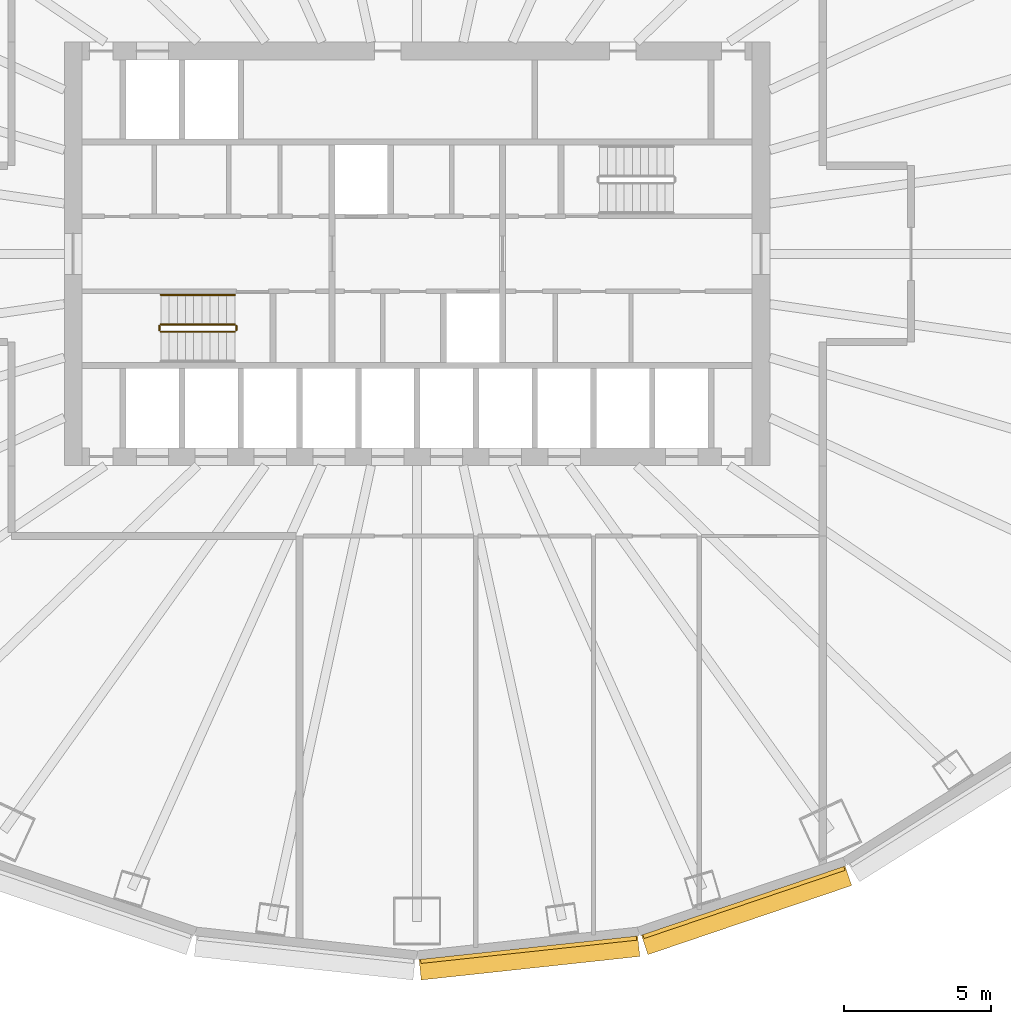
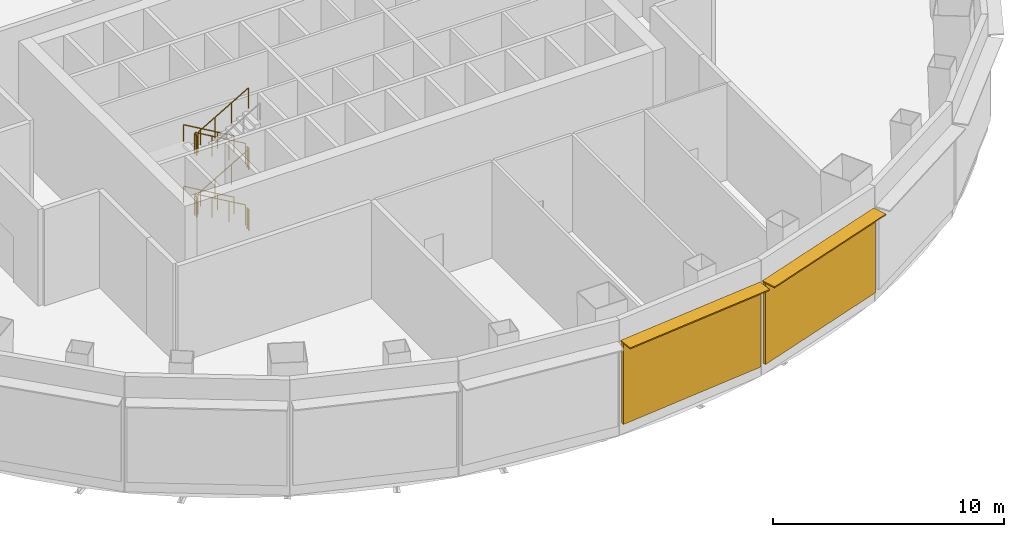
# One storey, part 7 of 9: 10 railings, 4 shading devices.
"""IFC4 building model written with IfcOpenShell, lengths in metres."""

from ifc_helpers import new_model, si_unit, direction, frame, origin, origin_2d, place, context, subcontext, project, spatial, rectangle, circle, extrude, material, layer, layer_set, type_object, element, save


model = new_model("IFC4")

# Units and contexts
model_context = context("Model", 3, precision=1e-05, world=origin(), true_north=direction((0.0, 1.0)))
body_context = subcontext(model_context, "Body", "Model", "MODEL_VIEW")
ifc_project = project(units=[si_unit("LENGTHUNIT", "METRE"), si_unit("AREAUNIT", "SQUARE_METRE"), si_unit("VOLUMEUNIT", "CUBIC_METRE"), si_unit("PLANEANGLEUNIT", "RADIAN"), si_unit("MASSUNIT", "GRAM", prefix="KILO")], contexts=[model_context])

# Site, building, storey
site_placement = place(None, origin())
site = spatial("IfcSite", under=ifc_project, at=site_placement, CompositionType="ELEMENT")
building_placement = place(site_placement, origin())
building = spatial("IfcBuilding", under=site, at=building_placement, Name="Siaravel Broadcast Tower", CompositionType="ELEMENT")
storey_placement = place(building_placement, frame((0.0, 0.0, 13.5)))
storey = spatial("IfcBuildingStorey", under=building, at=storey_placement, Name="L02", CompositionType="ELEMENT", Elevation=13.5)

# Shading devices
ifc_material_1 = material(Name="Bronze anodised aluminium", Category="aluminium")
ifc_layer_1 = layer(ifc_material_1, 0.06005859375)
ifc_layer_set_1 = layer_set([ifc_layer_1], Name="Bronze anodised aluminium")
shading_device_type_1 = type_object("IfcShadingDeviceType", Name="Brise-soleil band", PredefinedType="USERDEFINED", material=ifc_layer_set_1)
shading_device_1_placement = place(storey_placement, frame((3.8212890625, -23.95458984375, 4.929931640625), z_axis=(0.0, 0.0, 1.0), x_axis=(0.994235667, 0.107216783, 0.0)))
element("IfcShadingDevice", 1, at=shading_device_1_placement, inside=storey, type_object=shading_device_type_1, Name="L02 brise-soleil band 19", ObjectType="SUNSHADE", PredefinedType="USERDEFINED", context=body_context, shape_type="SweptSolid", body=[
    extrude(rectangle(XDim=7.4794921875, YDim=0.699951171875, at=origin_2d()), origin(), (0.0, 0.0, 1.0), 0.06005859375),
])
shading_device_2_placement = place(storey_placement, frame((11.20751953125, -22.333251953125, 4.929931640625), z_axis=(0.0, 0.0, 1.0), x_axis=(0.946977245, 0.321300635, 0.0)))
element("IfcShadingDevice", 2, at=shading_device_2_placement, inside=storey, type_object=shading_device_type_1, Name="L02 brise-soleil band 20", ObjectType="SUNSHADE", PredefinedType="USERDEFINED", context=body_context, shape_type="SweptSolid", body=[
    extrude(rectangle(XDim=7.316162109375, YDim=0.699951171875, at=origin_2d()), origin(), (0.0, 0.0, 1.0), 0.06005859375),
])
ifc_material_2 = material(Name="Precast concrete C40/50", Category="concrete")
ifc_layer_2 = layer(ifc_material_2, 0.139892578125)
ifc_layer_set_2 = layer_set([ifc_layer_2], Name="Precast concrete C40/50")
shading_device_type_2 = type_object("IfcShadingDeviceType", Name="Cobogo screen", PredefinedType="USERDEFINED", material=ifc_layer_set_2)
shading_device_3_placement = place(storey_placement, frame((3.791259765625, -23.676025390625, 0.60009765625), z_axis=(0.0, 0.0, 1.0), x_axis=(0.994235667, 0.107216783, 0.0)))
element("IfcShadingDevice", 3, at=shading_device_3_placement, inside=storey, type_object=shading_device_type_2, Name="L02 cobogo screen 19", ObjectType="SCREEN", PredefinedType="USERDEFINED", context=body_context, shape_type="SweptSolid", body=[
    extrude(rectangle(XDim=7.379638671875, YDim=0.139892578125, at=origin_2d()), origin(), (0.0, 0.0, 1.0), 4.300048828125),
])
shading_device_4_placement = place(storey_placement, frame((11.117431640625, -22.068115234375, 0.60009765625), z_axis=(0.0, 0.0, 1.0), x_axis=(0.946977245, 0.321300635, 0.0)))
element("IfcShadingDevice", 4, at=shading_device_4_placement, inside=storey, type_object=shading_device_type_2, Name="L02 cobogo screen 20", ObjectType="SCREEN", PredefinedType="USERDEFINED", context=body_context, shape_type="SweptSolid", body=[
    extrude(rectangle(XDim=7.21630859375, YDim=0.139892578125, at=origin_2d()), origin(), (0.0, 0.0, 1.0), 4.300048828125),
])

# Railings
ifc_material_3 = material(Name="Stainless steel 316L", Category="steel")
railing_type_1 = type_object("IfcRailingType", Name="Stair guard 1100", PredefinedType="GUARDRAIL", material=ifc_material_3)
railing_1_placement = place(storey_placement, frame((-6.199951171875, -2.39990234375, 0.16259765625)))
element("IfcRailing", 5, at=railing_1_placement, inside=storey, type_object=railing_type_1, Name="L02 ST-1 stair guard 1", PredefinedType="GUARDRAIL", context=body_context, shape_type="SweptSolid", body=[
    extrude(circle(Radius=0.02392578125, at=origin_2d()), frame((0.0, 0.0, 1.076171875), z_axis=(-0.864913338, 0.0, 0.501921226), x_axis=(0.0, -1.0, 0.0)), (0.0, 0.0, 1.0), 2.91357421875),
    extrude(circle(Radius=0.02099609375, at=origin_2d()), origin(), (0.0, 0.0, 1.0), 1.052001953125),
    extrude(circle(Radius=0.02099609375, at=origin_2d()), frame((-0.840087890625, 0.0, 0.487548828125)), (0.0, 0.0, 1.0), 1.052001953125),
    extrude(circle(Radius=0.02099609375, at=origin_2d()), frame((-1.679931640625, 0.0, 0.974853515625)), (0.0, 0.0, 1.0), 1.052001953125),
    extrude(circle(Radius=0.02099609375, at=origin_2d()), frame((-2.52001953125, 0.0, 1.46240234375)), (0.0, 0.0, 1.0), 1.052001953125),
])
railing_2_placement = place(storey_placement, frame((-8.77001953125, -2.449951171875, 1.625)))
element("IfcRailing", 6, at=railing_2_placement, inside=storey, type_object=railing_type_1, Name="L02 ST-1 stair guard 2", PredefinedType="GUARDRAIL", context=body_context, shape_type="SweptSolid", body=[
    extrude(circle(Radius=0.02392578125, at=origin_2d()), frame((0.0, 0.0, 1.076171875), z_axis=(0.0, -1.0, 0.0), x_axis=(1.0, 0.0, 0.0)), (0.0, 0.0, 1.0), 0.150146484375),
    extrude(circle(Radius=0.02099609375, at=origin_2d()), origin(), (0.0, 0.0, 1.0), 1.052001953125),
    extrude(circle(Radius=0.02099609375, at=origin_2d()), frame((0.0, -0.150146484375, 0.0)), (0.0, 0.0, 1.0), 1.052001953125),
])
railing_3_placement = place(storey_placement, frame((-8.719970703125, -2.64990234375, 1.78759765625)))
element("IfcRailing", 7, at=railing_3_placement, inside=storey, type_object=railing_type_1, Name="L02 ST-1 stair guard 3", PredefinedType="GUARDRAIL", context=body_context, shape_type="SweptSolid", body=[
    extrude(circle(Radius=0.02392578125, at=origin_2d()), frame((0.0, 0.0, 1.076171875), z_axis=(0.864913338, 0.0, 0.501921226), x_axis=(0.0, 1.0, 0.0)), (0.0, 0.0, 1.0), 2.91357421875),
    extrude(circle(Radius=0.02099609375, at=origin_2d()), origin(), (0.0, 0.0, 1.0), 1.052001953125),
    extrude(circle(Radius=0.02099609375, at=origin_2d()), frame((0.840087890625, 0.0, 0.487548828125)), (0.0, 0.0, 1.0), 1.052001953125),
    extrude(circle(Radius=0.02099609375, at=origin_2d()), frame((1.679931640625, 0.0, 0.974853515625)), (0.0, 0.0, 1.0), 1.052001953125),
    extrude(circle(Radius=0.02099609375, at=origin_2d()), frame((2.52001953125, 0.0, 1.46240234375)), (0.0, 0.0, 1.0), 1.052001953125),
])
railing_4_placement = place(storey_placement, frame((-6.14990234375, -2.449951171875, 3.25)))
element("IfcRailing", 8, at=railing_4_placement, inside=storey, type_object=railing_type_1, Name="L02 ST-1 stair guard 4", PredefinedType="GUARDRAIL", context=body_context, shape_type="SweptSolid", body=[
    extrude(circle(Radius=0.02392578125, at=origin_2d()), frame((0.0, 0.0, 1.076171875), z_axis=(0.0, -1.0, 0.0), x_axis=(1.0, 0.0, 0.0)), (0.0, 0.0, 1.0), 0.150146484375),
    extrude(circle(Radius=0.02099609375, at=origin_2d()), origin(), (0.0, 0.0, 1.0), 1.052001953125),
    extrude(circle(Radius=0.02099609375, at=origin_2d()), frame((0.0, -0.150146484375, 0.0)), (0.0, 0.0, 1.0), 1.052001953125),
])
railing_5_placement = place(storey_placement, frame((-6.199951171875, -2.39990234375, 3.41259765625)))
element("IfcRailing", 9, at=railing_5_placement, inside=storey, type_object=railing_type_1, Name="L02 ST-1 stair guard 5", PredefinedType="GUARDRAIL", context=body_context, shape_type="SweptSolid", body=[
    extrude(circle(Radius=0.02392578125, at=origin_2d()), frame((0.0, 0.0, 1.076171875), z_axis=(-0.864913338, 0.0, 0.501921226), x_axis=(0.0, -1.0, 0.0)), (0.0, 0.0, 1.0), 2.91357421875),
    extrude(circle(Radius=0.02099609375, at=origin_2d()), origin(), (0.0, 0.0, 1.0), 1.052001953125),
    extrude(circle(Radius=0.02099609375, at=origin_2d()), frame((-0.840087890625, 0.0, 0.487548828125)), (0.0, 0.0, 1.0), 1.052001953125),
    extrude(circle(Radius=0.02099609375, at=origin_2d()), frame((-1.679931640625, 0.0, 0.974853515625)), (0.0, 0.0, 1.0), 1.052001953125),
    extrude(circle(Radius=0.02099609375, at=origin_2d()), frame((-2.52001953125, 0.0, 1.46240234375)), (0.0, 0.0, 1.0), 1.052001953125),
])
railing_6_placement = place(storey_placement, frame((-8.77001953125, -2.449951171875, 4.875)))
element("IfcRailing", 10, at=railing_6_placement, inside=storey, type_object=railing_type_1, Name="L02 ST-1 stair guard 6", PredefinedType="GUARDRAIL", context=body_context, shape_type="SweptSolid", body=[
    extrude(circle(Radius=0.02392578125, at=origin_2d()), frame((0.0, 0.0, 1.076171875), z_axis=(0.0, -1.0, 0.0), x_axis=(1.0, 0.0, 0.0)), (0.0, 0.0, 1.0), 0.150146484375),
    extrude(circle(Radius=0.02099609375, at=origin_2d()), origin(), (0.0, 0.0, 1.0), 1.052001953125),
    extrude(circle(Radius=0.02099609375, at=origin_2d()), frame((0.0, -0.150146484375, 0.0)), (0.0, 0.0, 1.0), 1.052001953125),
])
railing_7_placement = place(storey_placement, frame((-8.719970703125, -2.64990234375, 5.03759765625)))
element("IfcRailing", 11, at=railing_7_placement, inside=storey, type_object=railing_type_1, Name="L02 ST-1 stair guard 7", PredefinedType="GUARDRAIL", context=body_context, shape_type="SweptSolid", body=[
    extrude(circle(Radius=0.02392578125, at=origin_2d()), frame((0.0, 0.0, 1.076171875), z_axis=(0.864913338, 0.0, 0.501921226), x_axis=(0.0, 1.0, 0.0)), (0.0, 0.0, 1.0), 2.91357421875),
    extrude(circle(Radius=0.02099609375, at=origin_2d()), origin(), (0.0, 0.0, 1.0), 1.052001953125),
    extrude(circle(Radius=0.02099609375, at=origin_2d()), frame((0.840087890625, 0.0, 0.487548828125)), (0.0, 0.0, 1.0), 1.052001953125),
    extrude(circle(Radius=0.02099609375, at=origin_2d()), frame((1.679931640625, 0.0, 0.974853515625)), (0.0, 0.0, 1.0), 1.052001953125),
    extrude(circle(Radius=0.02099609375, at=origin_2d()), frame((2.52001953125, 0.0, 1.46240234375)), (0.0, 0.0, 1.0), 1.052001953125),
])
railing_8_placement = place(storey_placement, frame((-6.14990234375, -2.449951171875, 0.0)))
element("IfcRailing", 12, at=railing_8_placement, inside=storey, type_object=railing_type_1, Name="L02 ST-1 stair guard 8", PredefinedType="GUARDRAIL", context=body_context, shape_type="SweptSolid", body=[
    extrude(circle(Radius=0.02392578125, at=origin_2d()), frame((0.0, 0.0, 1.076171875), z_axis=(0.0, -1.0, 0.0), x_axis=(1.0, 0.0, 0.0)), (0.0, 0.0, 1.0), 0.150146484375),
    extrude(circle(Radius=0.02099609375, at=origin_2d()), origin(), (0.0, 0.0, 1.0), 1.052001953125),
    extrude(circle(Radius=0.02099609375, at=origin_2d()), frame((0.0, -0.150146484375, 0.0)), (0.0, 0.0, 1.0), 1.052001953125),
])
railing_type_2 = type_object("IfcRailingType", Name="Stair handrail 900", PredefinedType="HANDRAIL", material=ifc_material_3)
for number, where, name in (
    (13, (-6.199951171875, -1.39990234375, 0.16259765625), "L02 ST-1 stair handrail 1"),
    (14, (-6.199951171875, -1.39990234375, 3.41259765625), "L02 ST-1 stair handrail 3"),
):
    element("IfcRailing", number, at=place(storey_placement, frame(where)), inside=storey, type_object=railing_type_2, Name=name, PredefinedType="HANDRAIL", context=body_context, shape_type="SweptSolid", body=[
        extrude(circle(Radius=0.02392578125, at=origin_2d()), frame((0.0, 0.0, 0.8759765625), z_axis=(-0.864913338, 0.0, 0.501921226), x_axis=(0.0, -1.0, 0.0)), (0.0, 0.0, 1.0), 2.91357421875),
        extrude(circle(Radius=0.02099609375, at=origin_2d()), origin(), (0.0, 0.0, 1.0), 0.851806640625),
        extrude(circle(Radius=0.02099609375, at=origin_2d()), frame((-0.840087890625, 0.0, 0.487548828125)), (0.0, 0.0, 1.0), 0.851806640625),
        extrude(circle(Radius=0.02099609375, at=origin_2d()), frame((-1.679931640625, 0.0, 0.974853515625)), (0.0, 0.0, 1.0), 0.851806640625),
        extrude(circle(Radius=0.02099609375, at=origin_2d()), frame((-2.52001953125, 0.0, 1.46240234375)), (0.0, 0.0, 1.0), 0.851806640625),
    ])

save(model, "model.ifc")
